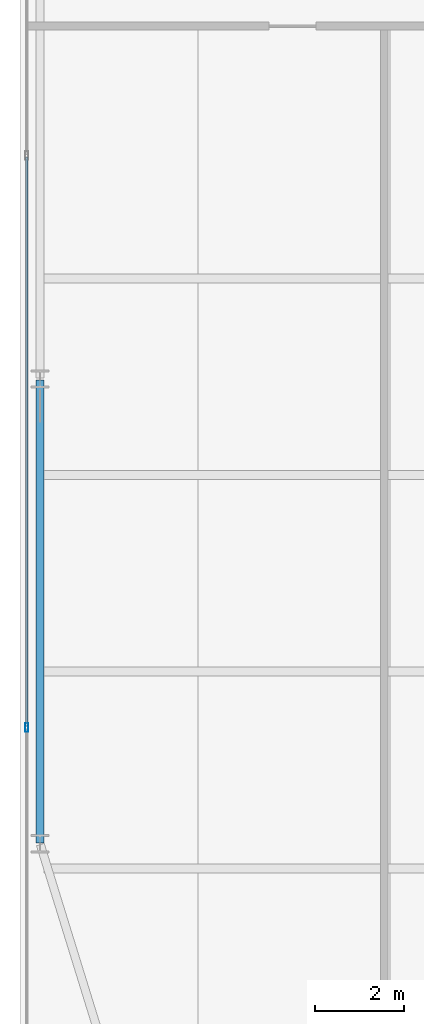
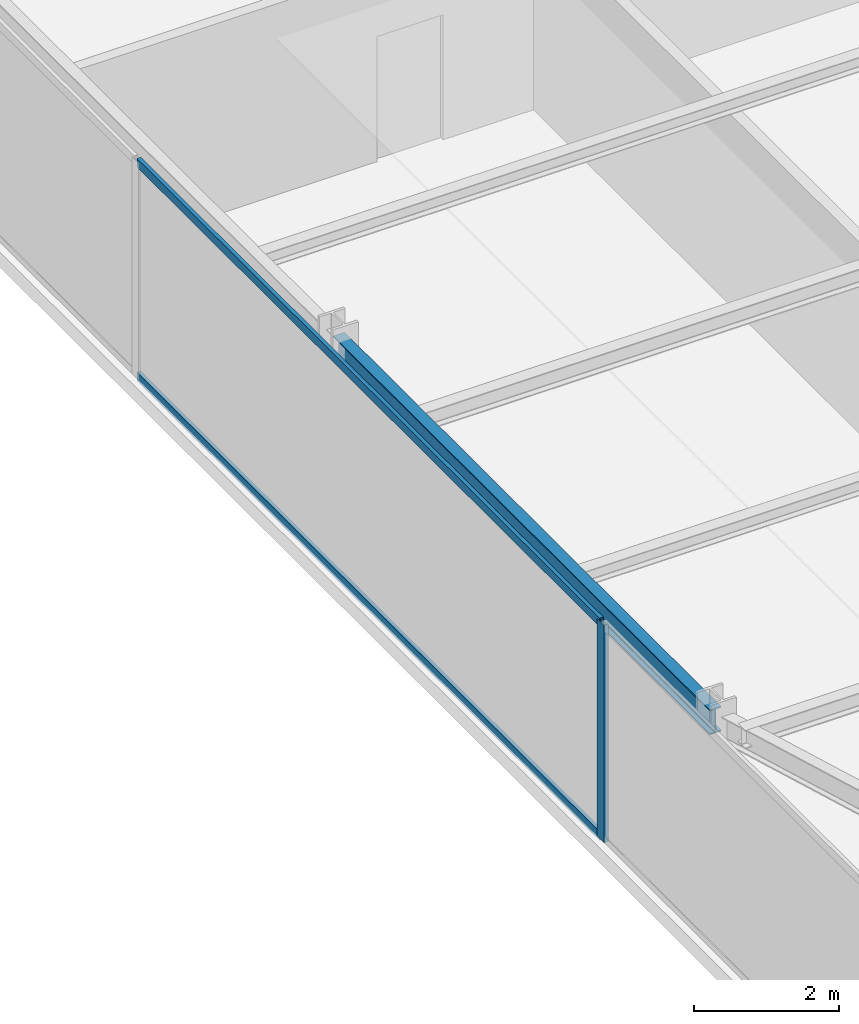
# One storey, part 8 of 32: 3 members, 1 beam, 1 element without a shape of its own.
"""IFC4 building model written with IfcOpenShell, lengths in metres."""

from ifc_helpers import new_model, si_unit, direction, frame, origin, origin_2d, place, context, subcontext, project, spatial, hollow_rectangle, i_section, extrude, source, transform, mapped, material, layer, layer_set, material_profile, profile_set, type_object, type_shapes, element, aggregate, save


model = new_model("IFC4")

# Units and contexts
model_context = context("Model", 3, precision=1e-05, world=origin(), true_north=direction((0.0, 1.0)))
body_context = subcontext(model_context, "Body", "Model", "MODEL_VIEW")
ifc_project = project(units=[si_unit("LENGTHUNIT", "METRE"), si_unit("AREAUNIT", "SQUARE_METRE"), si_unit("VOLUMEUNIT", "CUBIC_METRE"), si_unit("PLANEANGLEUNIT", "RADIAN"), si_unit("MASSUNIT", "GRAM", prefix="KILO")], contexts=[model_context])

# Site, building, storey
site_placement = place(None, origin())
site = spatial("IfcSite", under=ifc_project, at=site_placement, CompositionType="ELEMENT")
building_placement = place(site_placement, origin())
building = spatial("IfcBuilding", under=site, at=building_placement, Name="Varnel Quay Broadcast Tower", CompositionType="ELEMENT")
storey_placement = place(building_placement, frame((0.0, 0.0, 70.5)))
storey = spatial("IfcBuildingStorey", under=building, at=storey_placement, Name="L16", CompositionType="ELEMENT", Elevation=70.5)

# Beam
ifc_material_1 = material(Name="Structural Steel CSA G40.21 350W", Category="steel")
ifc_material_profile_1 = material_profile(ifc_material_1, i_section(OverallWidth=0.180908203125, OverallDepth=0.4169921875, WebThickness=0.010986328125, FlangeThickness=0.018310546875, FilletRadius=0.011962890625, at=origin_2d()), Name="W410X85")
ifc_profile_set_1 = profile_set([ifc_material_profile_1], Name="Structural Steel CSA G40.21 350W")
beam_type = type_object("IfcBeamType", Name="Beam_W410X85", PredefinedType="SPANDREL", material=ifc_profile_set_1)
shared_shape_1 = source(origin(), body_context, "Body", "SweptSolid", [
    extrude(i_section(OverallWidth=0.180908203125, OverallDepth=0.4169921875, WebThickness=0.010986328125, FlangeThickness=0.018310546875, FilletRadius=0.011962890625, at=origin_2d()), origin(), (0.0, 0.0, 1.0), 10.35986328125),
])
type_shapes(beam_type, [shared_shape_1])
beam_placement = place(storey_placement, frame((2.449951171875, 15.02001953125, 3.44140625), z_axis=(0.0, 1.0, 0.0), x_axis=(-1.0, 0.0, 0.0)))
element("IfcBeam", 1, at=beam_placement, inside=storey, type_object=beam_type, Name="L16 West Spandrel TC-W1-TC-W2", PredefinedType="SPANDREL", context=body_context, shape_type="MappedRepresentation", body=[
    mapped(shared_shape_1, transform((0.0, 0.0, 0.0), x_axis=(1.0, 0.0, 0.0), y_axis=(0.0, 1.0, 0.0), z_axis=(0.0, 0.0, 1.0), scale=1.0)),
])

# Curtain wall, members
ifc_material_2 = material(Name="Anodised Bronze Aluminium 6063-T6", Category="aluminium")
ifc_layer = layer(ifc_material_2, 0.18994140625, Name="Anodised Bronze Aluminium 6063-T6")
ifc_layer_set = layer_set([ifc_layer], Name="Anodised Bronze Aluminium 6063-T6")
curtain_wall_type = type_object("IfcCurtainWallType", Name="CW_LowerTower", PredefinedType="NOTDEFINED", material=ifc_layer_set)
curtain_wall_placement = place(storey_placement, origin())
curtain_wall = element("IfcCurtainWall", 2, at=curtain_wall_placement, inside=storey, type_object=curtain_wall_type, Name="L16 West Unitised Curtain Wall", PredefinedType="NOTDEFINED")
ifc_material_profile_2 = material_profile(ifc_material_2, hollow_rectangle(XDim=0.070068359375, YDim=0.18994140625, WallThickness=0.00390625, at=origin_2d()), Name="ALU70X190X4")
ifc_profile_set_2 = profile_set([ifc_material_profile_2], Name="Anodised Bronze Aluminium 6063-T6")
member_type_1 = type_object("IfcMemberType", Name="Mull_CWS-02", PredefinedType="MULLION", material=ifc_profile_set_2)
shared_shape_2 = source(origin(), body_context, "Body", "SweptSolid", [
    extrude(hollow_rectangle(XDim=0.070068359375, YDim=0.18994140625, WallThickness=0.00390625, at=origin_2d()), origin(), (0.0, 0.0, 1.0), 3.64990234375),
])
type_shapes(member_type_1, [shared_shape_2])
member_1_placement = place(storey_placement, frame((2.14990234375, 17.60009765625, 0.0), z_axis=(0.0, 0.0, 1.0), x_axis=(-1.0, 0.0, 0.0)))
member_1 = element("IfcMember", 3, at=member_1_placement, type_object=member_type_1, Name="CWS-02 mullion 2", PredefinedType="MULLION", context=body_context, shape_type="MappedRepresentation", body=[
    mapped(shared_shape_2, transform((0.0, 0.0, 0.0), x_axis=(1.0, 0.0, 0.0), y_axis=(0.0, 1.0, 0.0), z_axis=(0.0, 0.0, 1.0), scale=1.0)),
])
ifc_material_profile_3 = material_profile(ifc_material_2, hollow_rectangle(XDim=0.06005859375, YDim=0.14501953125, WallThickness=0.00341796875, at=origin_2d()), Name="ALU60X145X3.5")
ifc_profile_set_3 = profile_set([ifc_material_profile_3], Name="Anodised Bronze Aluminium 6063-T6")
member_type_2 = type_object("IfcMemberType", Name="Tran_CWS-02", PredefinedType="USERDEFINED", material=ifc_profile_set_3)
shared_shape_3 = source(origin(), body_context, "Body", "SweptSolid", [
    extrude(hollow_rectangle(XDim=0.06005859375, YDim=0.14501953125, WallThickness=0.00341796875, at=origin_2d()), origin(), (0.0, 0.0, 1.0), 12.72998046875),
])
type_shapes(member_type_2, [shared_shape_3])
member_2_placement = place(storey_placement, frame((2.14990234375, 17.635009765625, 0.030029296875), z_axis=(0.0, 1.0, 0.0), x_axis=(-1.0, 0.0, 0.0)))
member_2 = element("IfcMember", 4, at=member_2_placement, type_object=member_type_2, Name="CWS-02 transom 2.1", ObjectType="TRANSOM", PredefinedType="USERDEFINED", context=body_context, shape_type="MappedRepresentation", body=[
    mapped(shared_shape_3, transform((0.0, 0.0, 0.0), x_axis=(1.0, 0.0, 0.0), y_axis=(0.0, 1.0, 0.0), z_axis=(0.0, 0.0, 1.0), scale=1.0)),
])
member_3_placement = place(storey_placement, frame((2.14990234375, 17.635009765625, 3.6201171875), z_axis=(0.0, 1.0, 0.0), x_axis=(-1.0, 0.0, 0.0)))
member_3 = element("IfcMember", 5, at=member_3_placement, type_object=member_type_2, Name="CWS-02 transom 2.2", ObjectType="TRANSOM", PredefinedType="USERDEFINED", context=body_context, shape_type="MappedRepresentation", body=[
    mapped(shared_shape_3, transform((0.0, 0.0, 0.0), x_axis=(1.0, 0.0, 0.0), y_axis=(0.0, 1.0, 0.0), z_axis=(0.0, 0.0, 1.0), scale=1.0)),
])
aggregate(curtain_wall, [member_1, member_2, member_3])

save(model, "model.ifc")
